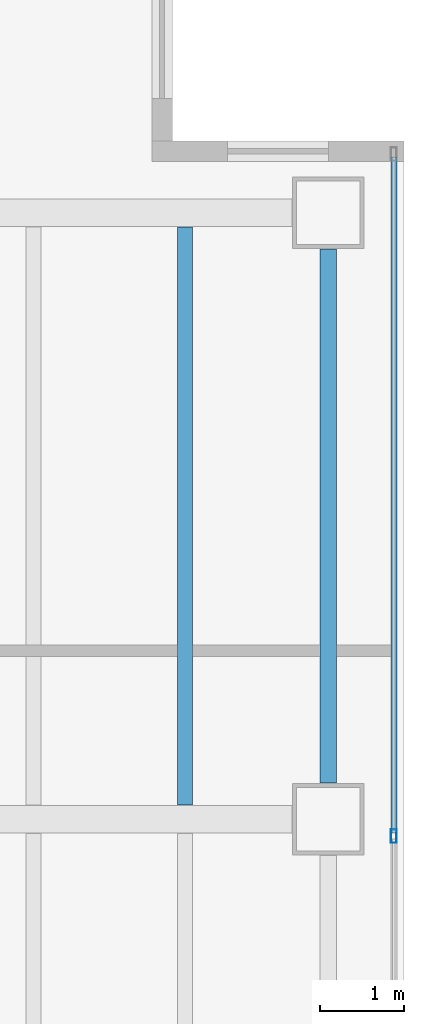
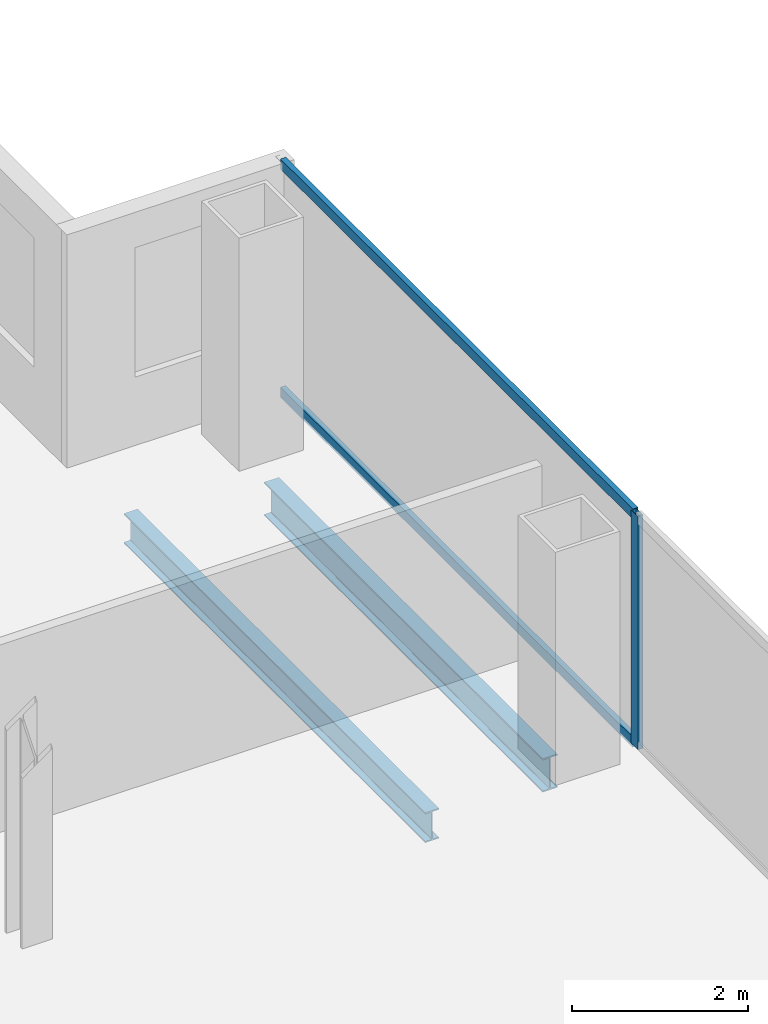
# One storey, part 14 of 23: 3 members, 2 beams, 1 element without a shape of its own.
"""IFC4 building model written with IfcOpenShell, lengths in metres."""

from ifc_helpers import new_model, si_unit, direction, frame, origin, origin_2d, place, context, subcontext, project, spatial, hollow_rectangle, i_section, extrude, material, material_profile, profile_set, type_object, element, aggregate, save


model = new_model("IFC4")

# Units and contexts
model_context = context("Model", 3, precision=1e-05, world=origin(), true_north=direction((0.0, 1.0)))
body_context = subcontext(model_context, "Body", "Model", "MODEL_VIEW")
ifc_project = project(units=[si_unit("LENGTHUNIT", "METRE"), si_unit("AREAUNIT", "SQUARE_METRE"), si_unit("VOLUMEUNIT", "CUBIC_METRE"), si_unit("PLANEANGLEUNIT", "RADIAN"), si_unit("MASSUNIT", "GRAM", prefix="KILO")], contexts=[model_context])

# Site, building, storey
site_placement = place(None, origin())
site = spatial("IfcSite", under=ifc_project, at=site_placement, CompositionType="ELEMENT")
building_placement = place(site_placement, origin())
building = spatial("IfcBuilding", under=site, at=building_placement, Name="Cobrela Telecom Tower", CompositionType="ELEMENT")
storey_placement = place(building_placement, frame((0.0, 0.0, 183.75)))
storey = spatial("IfcBuildingStorey", under=building, at=storey_placement, Name="L46", CompositionType="ELEMENT", Elevation=183.75)

# Beams
ifc_material_1 = material(Name="Steel ASTM A992 Grade 50", Category="steel")
ifc_material_profile_1 = material_profile(ifc_material_1, i_section(OverallWidth=0.179931640625, OverallDepth=0.4169921875, WebThickness=0.010986328125, FlangeThickness=0.01806640625, FilletRadius=0.011962890625, at=origin_2d()), Name="W16X57")
ifc_profile_set_1 = profile_set([ifc_material_profile_1], Name="Steel ASTM A992 Grade 50")
beam_type_1 = type_object("IfcBeamType", Name="BM-JOIST-04", PredefinedType="JOIST", material=ifc_profile_set_1)
beam_1_placement = place(storey_placement, frame((41.39990234375, 14.569091796875, -0.468505859375), z_axis=(0.0, 1.0, 0.0), x_axis=(-1.0, 0.0, 0.0)))
element("IfcBeam", 1, at=beam_1_placement, inside=storey, type_object=beam_type_1, Name="L46 Secondary Composite Floor Beam J30", PredefinedType="JOIST", context=body_context, shape_type="SweptSolid", body=[
    extrude(i_section(OverallWidth=0.179931640625, OverallDepth=0.4169921875, WebThickness=0.010986328125, FlangeThickness=0.01806640625, FilletRadius=0.011962890625, at=origin_2d()), origin(), (0.0, 0.0, 1.0), 6.86181640625),
])
ifc_material_profile_2 = material_profile(ifc_material_1, i_section(OverallWidth=0.193115234375, OverallDepth=0.467041015625, WebThickness=0.011474609375, FlangeThickness=0.01904296875, FilletRadius=0.012939453125, at=origin_2d()), Name="W18X65")
ifc_profile_set_2 = profile_set([ifc_material_profile_2], Name="Steel ASTM A992 Grade 50")
beam_type_2 = type_object("IfcBeamType", Name="BM-SPAND-05", PredefinedType="SPANDREL", material=ifc_profile_set_2)
beam_2_placement = place(storey_placement, frame((43.10009765625, 14.830078125, -0.493408203125), z_axis=(0.0, 1.0, 0.0), x_axis=(-1.0, 0.0, 0.0)))
element("IfcBeam", 2, at=beam_2_placement, inside=storey, type_object=beam_type_2, Name="L46 Perimeter Spandrel Y43", PredefinedType="SPANDREL", context=body_context, shape_type="SweptSolid", body=[
    extrude(i_section(OverallWidth=0.193115234375, OverallDepth=0.467041015625, WebThickness=0.011474609375, FlangeThickness=0.01904296875, FilletRadius=0.012939453125, at=origin_2d()), origin(), (0.0, 0.0, 1.0), 6.33984375),
])

# Curtain wall, members
ifc_material_2 = material(Name="Anodized Bronze Aluminium 6063-T6", Category="aluminium")
curtain_wall_type = type_object("IfcCurtainWallType", Name="CW-SYS-OFF-LO", PredefinedType="USERDEFINED", material=ifc_material_2)
curtain_wall_placement = place(storey_placement, origin())
curtain_wall = element("IfcCurtainWall", 3, at=curtain_wall_placement, inside=storey, type_object=curtain_wall_type, Name="L46 Unitised Bronze Curtain Wall 14", ObjectType="UNITISED CURTAIN WALL", PredefinedType="USERDEFINED")
ifc_material_profile_3 = material_profile(ifc_material_2, hollow_rectangle(XDim=0.070068359375, YDim=0.159912109375, WallThickness=0.00390625, at=origin_2d()), Name="ALU 70x160x4")
ifc_profile_set_3 = profile_set([ifc_material_profile_3], Name="Anodized Bronze Aluminium 6063-T6")
member_type_1 = type_object("IfcMemberType", Name="CW-SYS-OFF-LO-MUL", PredefinedType="MULLION", material=ifc_profile_set_3)
member_1_placement = place(storey_placement, frame((43.8798828125, 14.199951171875, 0.0), z_axis=(0.0, 0.0, 1.0), x_axis=(1.0, 0.0, 0.0)))
member_1 = element("IfcMember", 4, at=member_1_placement, type_object=member_type_1, Name="CW-OFF-LO mullion 2", PredefinedType="MULLION", context=body_context, shape_type="SweptSolid", body=[
    extrude(hollow_rectangle(XDim=0.070068359375, YDim=0.159912109375, WallThickness=0.00390625, at=origin_2d()), origin(), (0.0, 0.0, 1.0), 3.239990234375),
])
ifc_material_profile_4 = material_profile(ifc_material_2, hollow_rectangle(XDim=0.070068359375, YDim=0.139892578125, WallThickness=0.00390625, at=origin_2d()), Name="ALU 70x140x4")
ifc_profile_set_4 = profile_set([ifc_material_profile_4], Name="Anodized Bronze Aluminium 6063-T6")
member_type_2 = type_object("IfcMemberType", Name="CW-SYS-OFF-LO-TRN", PredefinedType="USERDEFINED", material=ifc_profile_set_4)
member_2_placement = place(storey_placement, frame((43.8798828125, 22.260009765625, 0.034912109375), z_axis=(0.0, -1.0, 0.0), x_axis=(1.0, 0.0, 0.0)))
member_2 = element("IfcMember", 5, at=member_2_placement, type_object=member_type_2, Name="CW-OFF-LO transom 1.1", ObjectType="TRANSOM", PredefinedType="USERDEFINED", context=body_context, shape_type="SweptSolid", body=[
    extrude(hollow_rectangle(XDim=0.070068359375, YDim=0.139892578125, WallThickness=0.00390625, at=origin_2d()), origin(), (0.0, 0.0, 1.0), 8.02490234375),
])
member_3_placement = place(storey_placement, frame((43.8798828125, 22.260009765625, 3.205078125), z_axis=(0.0, -1.0, 0.0), x_axis=(1.0, 0.0, 0.0)))
member_3 = element("IfcMember", 6, at=member_3_placement, type_object=member_type_2, Name="CW-OFF-LO transom 1.2", ObjectType="TRANSOM", PredefinedType="USERDEFINED", context=body_context, shape_type="SweptSolid", body=[
    extrude(hollow_rectangle(XDim=0.070068359375, YDim=0.139892578125, WallThickness=0.00390625, at=origin_2d()), origin(), (0.0, 0.0, 1.0), 8.02490234375),
])
aggregate(curtain_wall, [member_1, member_2, member_3])

save(model, "model.ifc")
